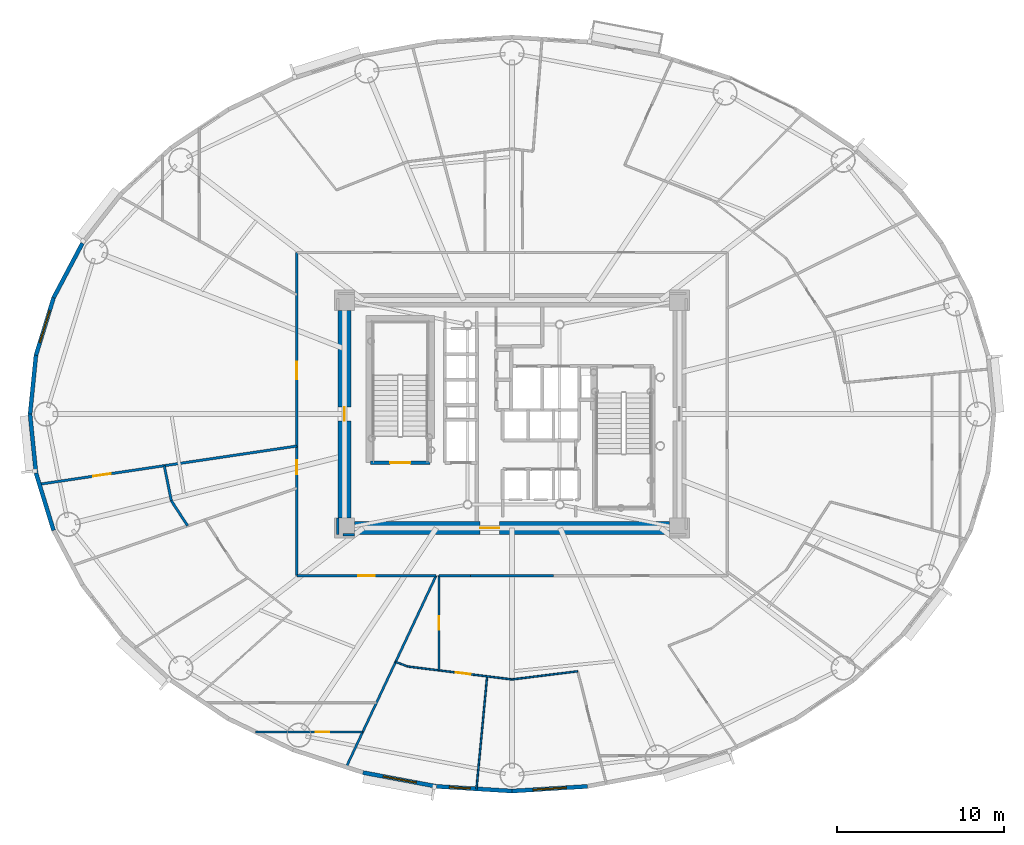
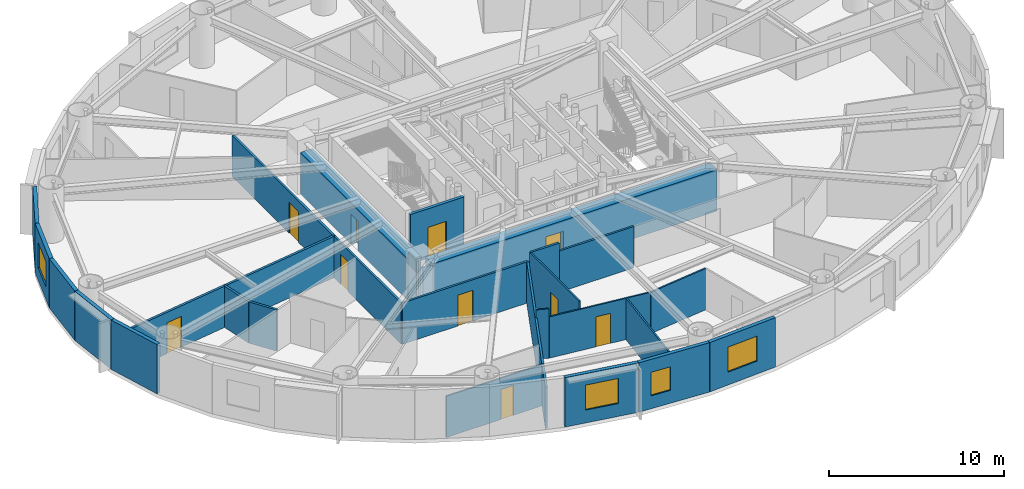
# One storey, part 7 of 17: 27 walls, 10 doors, 4 windows, 14 openings.
"""IFC4 building model written with IfcOpenShell, lengths in metres."""

from ifc_helpers import new_model, si_unit, direction, frame, frame_2d, origin, origin_2d, place, context, subcontext, project, spatial, rectangle, extrude, source, transform, mapped, material, layer, layer_set, type_object, element, fill, save


model = new_model("IFC4")

# Units and contexts
model_context = context("Model", 3, precision=1e-05, world=origin(), true_north=direction((0.0, 1.0)))
body_context = subcontext(model_context, "Body", "Model", "MODEL_VIEW")
ifc_project = project(units=[si_unit("LENGTHUNIT", "METRE"), si_unit("AREAUNIT", "SQUARE_METRE"), si_unit("VOLUMEUNIT", "CUBIC_METRE"), si_unit("PLANEANGLEUNIT", "RADIAN"), si_unit("MASSUNIT", "GRAM", prefix="KILO")], contexts=[model_context])

# Site, building, storey
site_placement = place(None, origin())
site = spatial("IfcSite", under=ifc_project, at=site_placement, CompositionType="ELEMENT")
building_placement = place(site_placement, origin())
building = spatial("IfcBuilding", under=site, at=building_placement, Name="Linh Dai School and Residence Tower", CompositionType="ELEMENT")
storey_placement = place(building_placement, frame((0.0, 0.0, 142.199951171875)))
storey = spatial("IfcBuildingStorey", under=building, at=storey_placement, Name="L34", CompositionType="ELEMENT", Elevation=142.199951171875)

# Wall
ifc_material_1 = material(Name="Precast Concrete B45 (C35/45)", Category="concrete")
ifc_layer_1 = layer(ifc_material_1, 0.239990234375)
ifc_layer_set_1 = layer_set([ifc_layer_1], Name="Precast Concrete B45 (C35/45)")
wall_type_1 = type_object("IfcWallType", Name="EW-TC-240", PredefinedType="SOLIDWALL", material=ifc_layer_set_1)
wall_1_placement = place(storey_placement, frame((8.6298828125, 33.945068359375, 0.0), z_axis=(0.0, 0.0, 1.0), x_axis=(0.467614004126, 0.883932770716, 0.0)))
element("IfcWall", 1, at=wall_1_placement, inside=storey, type_object=wall_type_1, Name="L34 Terracotta Exterior Wall 18", PredefinedType="SOLIDWALL", context=body_context, shape_type="SweptSolid", body=[
    extrude(rectangle(XDim=3.688720703125, YDim=0.239990234375, at=frame_2d((1.84423828125, 0.0))), origin(), (0.0, 0.0, 1.0), 3.449951171875),
])

# Wall, opening, window
wall_2_placement = place(storey_placement, frame((7.578369140625, 30.515380859375, 0.0), z_axis=(0.0, 0.0, 1.0), x_axis=(0.293124431344, 0.956074300329, 0.0)))
wall_2 = element("IfcWall", 2, at=wall_2_placement, inside=storey, type_object=wall_type_1, Name="L34 Terracotta Exterior Wall 19", PredefinedType="SOLIDWALL", context=body_context, shape_type="SweptSolid", body=[
    extrude(rectangle(XDim=3.587158203125, YDim=0.239990234375, at=frame_2d((1.79345703125, 0.0))), origin(), (0.0, 0.0, 1.0), 3.449951171875),
])
opening_1_placement = place(wall_2_placement, frame((0.793701171875, 0.0, 0.89990234375)))
opening_1 = element("IfcOpeningElement", 3, at=opening_1_placement, cuts=wall_2, Name="Opening W1", PredefinedType="OPENING", context=body_context, shape_type="SweptSolid", body=[
    extrude(rectangle(XDim=2.0, YDim=1.75, at=origin_2d()), frame((1.0, 0.1298828125, 0.875), z_axis=(0.0, -1.0, 0.0), x_axis=(1.0, 0.0, 0.0)), (0.0, 0.0, 1.0), 0.260009765625),
])
ifc_material_2 = material(Name="Double Low-E Insulated Glazing", Category="glass")
window_type_1 = type_object("IfcWindowType", Name="WN-RES-2000x1750", PartitioningType="DOUBLE_PANEL_VERTICAL", PredefinedType="WINDOW", material=ifc_material_2)
shared_shape_1 = source(origin(), body_context, "Body", "SweptSolid", [
    extrude(rectangle(XDim=2.0, YDim=1.75, at=origin_2d()), frame((1.0, 0.030029296875, 0.875), z_axis=(0.0, -1.0, 0.0), x_axis=(1.0, 0.0, 0.0)), (0.0, 0.0, 1.0), 0.06005859375),
])
window_1_placement = place(opening_1_placement, origin())
window_1 = element("IfcWindow", 4, at=window_1_placement, inside=storey, type_object=window_type_1, Name="L34 Exterior Window 19.1", OverallHeight=1.75, OverallWidth=2.0, PartitioningType="DOUBLE_PANEL_VERTICAL", PredefinedType="WINDOW", context=body_context, shape_type="MappedRepresentation", body=[
    mapped(shared_shape_1, transform((0.0, 0.0, 0.0), x_axis=(1.0, 0.0, 0.0), y_axis=(0.0, 1.0, 0.0), z_axis=(0.0, 0.0, 1.0), scale=1.0)),
])
fill(opening_1, window_1)

# Walls
for number, where, z_axis, x_axis, name in (
    (5, (7.22509765625, 27.0, 0.0), (0.0, 0.0, 1.0), (0.099989468229, 0.994988495533, 0.0), "L34 Terracotta Exterior Wall 20"),
    (6, (7.578369140625, 23.484619140625, 0.0), (0.0, 0.0, 1.0), (-0.099989468229, 0.994988495533, 0.0), "L34 Terracotta Exterior Wall 21"),
):
    element("IfcWall", number, at=place(storey_placement, frame(where, z_axis=z_axis, x_axis=x_axis)), inside=storey, type_object=wall_type_1, Name=name, PredefinedType="SOLIDWALL", context=body_context, shape_type="SweptSolid", body=[
        extrude(rectangle(XDim=3.533203125, YDim=0.239990234375, at=frame_2d((1.7666015625, 0.0))), origin(), (0.0, 0.0, 1.0), 3.449951171875),
    ])
wall_3_placement = place(storey_placement, frame((8.6298828125, 20.054931640625, 0.0), z_axis=(0.0, 0.0, 1.0), x_axis=(-0.293124431344, 0.956074300329, 0.0)))
element("IfcWall", 7, at=wall_3_placement, inside=storey, type_object=wall_type_1, Name="L34 Terracotta Exterior Wall 22", PredefinedType="SOLIDWALL", context=body_context, shape_type="SweptSolid", body=[
    extrude(rectangle(XDim=3.587158203125, YDim=0.239990234375, at=frame_2d((1.79345703125, 0.0))), origin(), (0.0, 0.0, 1.0), 3.449951171875),
])

# Wall, opening, window
wall_4_placement = place(storey_placement, frame((31.494384765625, 4.772705078125, 0.0), z_axis=(0.0, 0.0, 1.0), x_axis=(-0.982789252177, 0.184730305596, 0.0)))
wall_4 = element("IfcWall", 8, at=wall_4_placement, inside=storey, type_object=wall_type_1, Name="L34 Terracotta Exterior Wall 29", PredefinedType="SOLIDWALL", context=body_context, shape_type="SweptSolid", body=[
    extrude(rectangle(XDim=4.470947265625, YDim=0.239990234375, at=frame_2d((2.2353515625, 0.0))), origin(), (0.0, 0.0, 1.0), 3.449951171875),
])
opening_2_placement = place(wall_4_placement, frame((1.235595703125, 0.0, 0.89990234375)))
opening_2 = element("IfcOpeningElement", 9, at=opening_2_placement, cuts=wall_4, Name="Opening W1", PredefinedType="OPENING", context=body_context, shape_type="SweptSolid", body=[
    extrude(rectangle(XDim=2.0, YDim=1.75, at=origin_2d()), frame((1.0, 0.1298828125, 0.875), z_axis=(0.0, -1.0, 0.0), x_axis=(1.0, 0.0, 0.0)), (0.0, 0.0, 1.0), 0.260009765625),
])
window_2_placement = place(opening_2_placement, origin())
window_2 = element("IfcWindow", 10, at=window_2_placement, inside=storey, type_object=window_type_1, Name="L34 Exterior Window 29.1", OverallHeight=1.75, OverallWidth=2.0, PartitioningType="DOUBLE_PANEL_VERTICAL", PredefinedType="WINDOW", context=body_context, shape_type="MappedRepresentation", body=[
    mapped(shared_shape_1, transform((0.0, 0.0, 0.0), x_axis=(1.0, 0.0, 0.0), y_axis=(0.0, 1.0, 0.0), z_axis=(0.0, 0.0, 1.0), scale=1.0)),
])
fill(opening_2, window_2)

wall_5_placement = place(storey_placement, frame((36.0, 4.4951171875, 0.0), z_axis=(0.0, 0.0, 1.0), x_axis=(-0.998107531589, 0.061492726276, 0.0)))
wall_5 = element("IfcWall", 11, at=wall_5_placement, inside=storey, type_object=wall_type_1, Name="L34 Terracotta Exterior Wall 30", PredefinedType="SOLIDWALL", context=body_context, shape_type="SweptSolid", body=[
    extrude(rectangle(XDim=4.51416015625, YDim=0.239990234375, at=frame_2d((2.257080078125, 0.0))), origin(), (0.0, 0.0, 1.0), 3.449951171875),
])
opening_3_placement = place(wall_5_placement, frame((2.498779296875, 0.0, 0.89990234375)))
opening_3 = element("IfcOpeningElement", 12, at=opening_3_placement, cuts=wall_5, Name="Opening W3", PredefinedType="OPENING", context=body_context, shape_type="SweptSolid", body=[
    extrude(rectangle(XDim=1.25, YDim=1.64990234375, at=origin_2d()), frame((0.625, 0.1298828125, 0.824951171875), z_axis=(0.0, -1.0, 0.0), x_axis=(1.0, 0.0, 0.0)), (0.0, 0.0, 1.0), 0.260009765625),
])
window_type_2 = type_object("IfcWindowType", Name="WN-RES-1250x1650", PartitioningType="SINGLE_PANEL", PredefinedType="WINDOW", material=ifc_material_2)
shared_shape_2 = source(origin(), body_context, "Body", "SweptSolid", [
    extrude(rectangle(XDim=1.25, YDim=1.64990234375, at=origin_2d()), frame((0.625, 0.030029296875, 0.824951171875), z_axis=(0.0, -1.0, 0.0), x_axis=(1.0, 0.0, 0.0)), (0.0, 0.0, 1.0), 0.06005859375),
])
window_3_placement = place(opening_3_placement, origin())
window_3 = element("IfcWindow", 13, at=window_3_placement, inside=storey, type_object=window_type_2, Name="L34 Exterior Window 30.1", OverallHeight=1.64990234375, OverallWidth=1.25, PartitioningType="SINGLE_PANEL", PredefinedType="WINDOW", context=body_context, shape_type="MappedRepresentation", body=[
    mapped(shared_shape_2, transform((0.0, 0.0, 0.0), x_axis=(1.0, 0.0, 0.0), y_axis=(0.0, 1.0, 0.0), z_axis=(0.0, 0.0, 1.0), scale=1.0)),
])
fill(opening_3, window_3)

wall_6_placement = place(storey_placement, frame((40.505615234375, 4.772705078125, 0.0), z_axis=(0.0, 0.0, 1.0), x_axis=(-0.998107531589, -0.061492726276, 0.0)))
wall_6 = element("IfcWall", 14, at=wall_6_placement, inside=storey, type_object=wall_type_1, Name="L34 Terracotta Exterior Wall 31", PredefinedType="SOLIDWALL", context=body_context, shape_type="SweptSolid", body=[
    extrude(rectangle(XDim=4.51416015625, YDim=0.239990234375, at=frame_2d((2.257080078125, 0.0))), origin(), (0.0, 0.0, 1.0), 3.449951171875),
])
opening_4_placement = place(wall_6_placement, frame((1.257080078125, 0.0, 0.89990234375)))
opening_4 = element("IfcOpeningElement", 15, at=opening_4_placement, cuts=wall_6, Name="Opening W1", PredefinedType="OPENING", context=body_context, shape_type="SweptSolid", body=[
    extrude(rectangle(XDim=2.0, YDim=1.75, at=origin_2d()), frame((1.0, 0.1298828125, 0.875), z_axis=(0.0, -1.0, 0.0), x_axis=(1.0, 0.0, 0.0)), (0.0, 0.0, 1.0), 0.260009765625),
])
window_4_placement = place(opening_4_placement, origin())
window_4 = element("IfcWindow", 16, at=window_4_placement, inside=storey, type_object=window_type_1, Name="L34 Exterior Window 31.1", OverallHeight=1.75, OverallWidth=2.0, PartitioningType="DOUBLE_PANEL_VERTICAL", PredefinedType="WINDOW", context=body_context, shape_type="MappedRepresentation", body=[
    mapped(shared_shape_1, transform((0.0, 0.0, 0.0), x_axis=(1.0, 0.0, 0.0), y_axis=(0.0, 1.0, 0.0), z_axis=(0.0, 0.0, 1.0), scale=1.0)),
])
fill(opening_4, window_4)

# Wall, openings, doors
ifc_material_3 = material(Name="Autoclaved Aerated Concrete Blockwork", Category="masonry")
ifc_layer_2 = layer(ifc_material_3, 0.135009765625)
ifc_layer_set_2 = layer_set([ifc_layer_2], Name="Autoclaved Aerated Concrete Blockwork")
wall_type_2 = type_object("IfcWallType", Name="IW-CORR-135-EI90", PredefinedType="PARTITIONING", material=ifc_layer_set_2)
wall_7_placement = place(storey_placement, frame((23.14990234375, 17.35009765625, 0.0), z_axis=(0.0, 0.0, 1.0), x_axis=(0.0, 1.0, 0.0)))
wall_7 = element("IfcWall", 17, at=wall_7_placement, inside=storey, type_object=wall_type_2, Name="L34 Interior Partition Wall 015", PredefinedType="PARTITIONING", context=body_context, shape_type="SweptSolid", body=[
    extrude(rectangle(XDim=19.2998046875, YDim=0.135009765625, at=frame_2d((9.64990234375, 0.0))), origin(), (0.0, 0.0, 1.0), 2.885009765625),
])
opening_5_placement = place(wall_7_placement, frame((11.733154296875, 0.0, 0.0)))
opening_5 = element("IfcOpeningElement", 18, at=opening_5_placement, cuts=wall_7, Name="Opening D04", PredefinedType="OPENING", context=body_context, shape_type="SweptSolid", body=[
    extrude(rectangle(XDim=1.050048828125, YDim=2.14990234375, at=origin_2d()), frame((0.52490234375, 0.07763671875, 1.074951171875), z_axis=(0.0, -1.0, 0.0), x_axis=(1.0, 0.0, 0.0)), (0.0, 0.0, 1.0), 0.155029296875),
])
opening_6_placement = place(wall_7_placement, frame((6.07421875, 0.0, 0.0)))
opening_6 = element("IfcOpeningElement", 19, at=opening_6_placement, cuts=wall_7, Name="Opening D06", PredefinedType="OPENING", context=body_context, shape_type="SweptSolid", body=[
    extrude(rectangle(XDim=0.820068359375, YDim=2.10009765625, at=origin_2d()), frame((0.41015625, 0.07763671875, 1.050048828125), z_axis=(0.0, -1.0, 0.0), x_axis=(1.0, 0.0, 0.0)), (0.0, 0.0, 1.0), 0.155029296875),
])
ifc_material_4 = material(Name="Acoustic Vision-Panel Timber Classroom Door", Category="wood")
door_type_1 = type_object("IfcDoorType", Name="DR-SCH-1050x2150-FD60S", OperationType="NOTDEFINED", PredefinedType="DOOR", material=ifc_material_4)
shared_shape_3 = source(origin(), body_context, "Body", "SweptSolid", [
    extrude(rectangle(XDim=1.050048828125, YDim=2.14990234375, at=origin_2d()), frame((0.52490234375, 0.02490234375, 1.074951171875), z_axis=(0.0, -1.0, 0.0), x_axis=(1.0, 0.0, 0.0)), (0.0, 0.0, 1.0), 0.050048828125),
])
door_1_placement = place(opening_5_placement, origin())
door_1 = element("IfcDoor", 20, at=door_1_placement, inside=storey, type_object=door_type_1, Name="L34 Fitness and Yoga Room Door", OperationType="SINGLE_SWING_RIGHT", OverallHeight=2.14990234375, OverallWidth=1.050048828125, PredefinedType="DOOR", context=body_context, shape_type="MappedRepresentation", body=[
    mapped(shared_shape_3, transform((0.0, 0.0, 0.0), x_axis=(1.0, 0.0, 0.0), y_axis=(0.0, 1.0, 0.0), z_axis=(0.0, 0.0, 1.0), scale=1.0)),
])
fill(opening_5, door_1)
ifc_material_5 = material(Name="Moisture-Resistant Timber Bathroom Door", Category="wood")
door_type_2 = type_object("IfcDoorType", Name="DR-WET-820x2100", OperationType="NOTDEFINED", PredefinedType="DOOR", material=ifc_material_5)
shared_shape_4 = source(origin(), body_context, "Body", "SweptSolid", [
    extrude(rectangle(XDim=0.820068359375, YDim=2.10009765625, at=origin_2d()), frame((0.41015625, 0.02490234375, 1.050048828125), z_axis=(0.0, -1.0, 0.0), x_axis=(1.0, 0.0, 0.0)), (0.0, 0.0, 1.0), 0.050048828125),
])
door_2_placement = place(opening_6_placement, origin())
door_2 = element("IfcDoor", 21, at=door_2_placement, inside=storey, type_object=door_type_2, Name="L34 Amenity Accessible WC Door", OperationType="SINGLE_SWING_LEFT", OverallHeight=2.10009765625, OverallWidth=0.820068359375, PredefinedType="DOOR", context=body_context, shape_type="MappedRepresentation", body=[
    mapped(shared_shape_4, transform((0.0, 0.0, 0.0), x_axis=(1.0, 0.0, 0.0), y_axis=(0.0, 1.0, 0.0), z_axis=(0.0, 0.0, 1.0), scale=1.0)),
])
fill(opening_6, door_2)

# Wall, opening, door
wall_8_placement = place(storey_placement, frame((23.14990234375, 17.35009765625, 0.0), z_axis=(0.0, 0.0, 1.0), x_axis=(1.0, 0.0, 0.0)))
wall_8 = element("IfcWall", 22, at=wall_8_placement, inside=storey, type_object=wall_type_2, Name="L34 Interior Partition Wall 016", PredefinedType="PARTITIONING", context=body_context, shape_type="SweptSolid", body=[
    extrude(rectangle(XDim=8.318359375, YDim=0.135009765625, at=frame_2d((4.1591796875, 0.0))), origin(), (0.0, 0.0, 1.0), 2.885009765625),
])
opening_7_placement = place(wall_8_placement, frame((3.6591796875, 0.0, 0.0)))
opening_7 = element("IfcOpeningElement", 23, at=opening_7_placement, cuts=wall_8, Name="Opening D03", PredefinedType="OPENING", context=body_context, shape_type="SweptSolid", body=[
    extrude(rectangle(XDim=1.0, YDim=2.14990234375, at=origin_2d()), frame((0.5, 0.07763671875, 1.074951171875), z_axis=(0.0, -1.0, 0.0), x_axis=(1.0, 0.0, 0.0)), (0.0, 0.0, 1.0), 0.155029296875),
])
ifc_material_6 = material(Name="Fire-Rated Solid Timber Entrance Door", Category="wood")
door_type_3 = type_object("IfcDoorType", Name="DR-FLAT-1000x2150-FD60S", OperationType="NOTDEFINED", PredefinedType="DOOR", material=ifc_material_6)
shared_shape_5 = source(origin(), body_context, "Body", "SweptSolid", [
    extrude(rectangle(XDim=1.0, YDim=2.14990234375, at=origin_2d()), frame((0.5, 0.02490234375, 1.074951171875), z_axis=(0.0, -1.0, 0.0), x_axis=(1.0, 0.0, 0.0)), (0.0, 0.0, 1.0), 0.050048828125),
])
door_3_placement = place(opening_7_placement, origin())
door_3 = element("IfcDoor", 24, at=door_3_placement, inside=storey, type_object=door_type_3, Name="L34 U3401 Apartment Entrance Door", OperationType="SINGLE_SWING_LEFT", OverallHeight=2.14990234375, OverallWidth=1.0, PredefinedType="DOOR", context=body_context, shape_type="MappedRepresentation", body=[
    mapped(shared_shape_5, transform((0.0, 0.0, 0.0), x_axis=(1.0, 0.0, 0.0), y_axis=(0.0, 1.0, 0.0), z_axis=(0.0, 0.0, 1.0), scale=1.0)),
])
fill(opening_7, door_3)

# Walls
wall_9_placement = place(storey_placement, frame((26.099609375, 5.91796875, 0.0), z_axis=(0.0, 0.0, 1.0), x_axis=(0.425072644526, 0.905159238408, 0.0)))
element("IfcWall", 25, at=wall_9_placement, inside=storey, type_object=wall_type_2, Name="L34 Interior Partition Wall 019", PredefinedType="PARTITIONING", context=body_context, shape_type="SweptSolid", body=[
    extrude(rectangle(XDim=12.6298828125, YDim=0.135009765625, at=frame_2d((6.31494140625, 0.0))), origin(), (0.0, 0.0, 1.0), 2.885009765625),
])
wall_10_placement = place(storey_placement, frame((31.64111328125, 17.35009765625, 0.0), z_axis=(0.0, 0.0, 1.0), x_axis=(1.0, 0.0, 0.0)))
element("IfcWall", 26, at=wall_10_placement, inside=storey, type_object=wall_type_2, Name="L34 Interior Partition Wall 027", PredefinedType="PARTITIONING", context=body_context, shape_type="SweptSolid", body=[
    extrude(rectangle(XDim=1.8818359375, YDim=0.135009765625, at=frame_2d((0.94091796875, 0.0))), origin(), (0.0, 0.0, 1.0), 3.449951171875),
])
wall_11_placement = place(storey_placement, frame((38.467041015625, 17.35009765625, 0.0), z_axis=(0.0, 0.0, 1.0), x_axis=(-1.0, 0.0, 0.0)))
element("IfcWall", 27, at=wall_11_placement, inside=storey, type_object=wall_type_2, Name="L34 Interior Partition Wall 103", PredefinedType="PARTITIONING", context=body_context, shape_type="SweptSolid", body=[
    extrude(rectangle(XDim=4.93408203125, YDim=0.135009765625, at=frame_2d((2.467041015625, 0.0))), origin(), (0.0, 0.0, 1.0), 2.885009765625),
])
wall_12_placement = place(storey_placement, frame((25.60009765625, 20.7900390625, 0.0), z_axis=(0.0, 0.0, 1.0), x_axis=(0.0, -1.0, 0.0)))
element("IfcWall", 28, at=wall_12_placement, inside=storey, type_object=wall_type_2, Name="L34 Interior Partition Wall 107", PredefinedType="PARTITIONING", context=body_context, shape_type="SweptSolid", body=[
    extrude(rectangle(XDim=0.989990234375, YDim=0.135009765625, at=frame_2d((0.4951171875, 0.0))), origin(), (0.0, 0.0, 1.0), 3.449951171875),
])
wall_13_placement = place(storey_placement, frame((25.907470703125, 19.800048828125, 0.0), z_axis=(0.0, 0.0, 1.0), x_axis=(1.0, 0.0, 0.0)))
element("IfcWall", 29, at=wall_13_placement, inside=storey, type_object=wall_type_2, Name="L34 Interior Partition Wall 108", PredefinedType="PARTITIONING", context=body_context, shape_type="SweptSolid", body=[
    extrude(rectangle(XDim=0.6826171875, YDim=0.135009765625, at=frame_2d((0.34130859375, 0.0))), origin(), (0.0, 0.0, 1.0), 2.885009765625),
])

# Wall, opening, door
ifc_layer_3 = layer(ifc_material_3, 0.14990234375)
ifc_layer_set_3 = layer_set([ifc_layer_3], Name="Autoclaved Aerated Concrete Blockwork")
wall_type_3 = type_object("IfcWallType", Name="IW-SCH-150-EI60", PredefinedType="PARTITIONING", material=ifc_layer_set_3)
wall_14_placement = place(storey_placement, frame((7.779296875, 22.8125, 0.0), z_axis=(0.0, 0.0, 1.0), x_axis=(0.989169524168, 0.146777561148, 0.0)))
wall_14 = element("IfcWall", 30, at=wall_14_placement, inside=storey, type_object=wall_type_3, Name="L34 Interior Partition Wall 001", PredefinedType="PARTITIONING", context=body_context, shape_type="SweptSolid", body=[
    extrude(rectangle(XDim=15.538818359375, YDim=0.14990234375, at=frame_2d((7.76953125, 0.0))), origin(), (0.0, 0.0, 1.0), 2.885009765625),
])
opening_8_placement = place(wall_14_placement, frame((3.264892578125, 0.0, 0.0)))
opening_8 = element("IfcOpeningElement", 31, at=opening_8_placement, cuts=wall_14, Name="Opening D04", PredefinedType="OPENING", context=body_context, shape_type="SweptSolid", body=[
    extrude(rectangle(XDim=1.050048828125, YDim=2.14990234375, at=origin_2d()), frame((0.52490234375, 0.0849609375, 1.074951171875), z_axis=(0.0, -1.0, 0.0), x_axis=(1.0, 0.0, 0.0)), (0.0, 0.0, 1.0), 0.169921875),
])
door_4_placement = place(opening_8_placement, origin())
door_4 = element("IfcDoor", 32, at=door_4_placement, inside=storey, type_object=door_type_1, Name="L34 Amenity Tea Salon Door", OperationType="SINGLE_SWING_RIGHT", OverallHeight=2.14990234375, OverallWidth=1.050048828125, PredefinedType="DOOR", context=body_context, shape_type="MappedRepresentation", body=[
    mapped(shared_shape_3, transform((0.0, 0.0, 0.0), x_axis=(1.0, 0.0, 0.0), y_axis=(0.0, 1.0, 0.0), z_axis=(0.0, 0.0, 1.0), scale=1.0)),
])
fill(opening_8, door_4)

# Walls
wall_15_placement = place(storey_placement, frame((15.237060546875, 23.919189453125, 0.0), z_axis=(0.0, 0.0, 1.0), x_axis=(0.198269330309, -0.98014757698, 0.0)))
element("IfcWall", 33, at=wall_15_placement, inside=storey, type_object=wall_type_3, Name="L34 Interior Partition Wall 006", PredefinedType="PARTITIONING", context=body_context, shape_type="SweptSolid", body=[
    extrude(rectangle(XDim=2.136474609375, YDim=0.14990234375, at=frame_2d((1.068359375, 0.0))), origin(), (0.0, 0.0, 1.0), 2.885009765625),
])
wall_16_placement = place(storey_placement, frame((15.66064453125, 21.8251953125, 0.0), z_axis=(0.0, 0.0, 1.0), x_axis=(0.54543603077, -0.838152454114, 0.0)))
element("IfcWall", 34, at=wall_16_placement, inside=storey, type_object=wall_type_3, Name="L34 Interior Partition Wall 007", PredefinedType="PARTITIONING", context=body_context, shape_type="SweptSolid", body=[
    extrude(rectangle(XDim=1.782470703125, YDim=0.14990234375, at=frame_2d((0.89111328125, 0.0))), origin(), (0.0, 0.0, 1.0), 2.885009765625),
])

# Wall, opening, door
ifc_material_7 = material(Name="Concrete B45 (C35/45)", Category="concrete")
ifc_layer_4 = layer(ifc_material_7, 0.199951171875)
ifc_layer_set_4 = layer_set([ifc_layer_4], Name="Concrete B45 (C35/45)")
wall_type_4 = type_object("IfcWallType", Name="IW-SHAFT-200-EI120", PredefinedType="PARTITIONING", material=ifc_layer_set_4)
wall_17_placement = place(storey_placement, frame((27.56005859375, 24.10009765625, 0.0), z_axis=(0.0, 0.0, 1.0), x_axis=(1.0, 0.0, 0.0)))
wall_17 = element("IfcWall", 35, at=wall_17_placement, inside=storey, type_object=wall_type_4, Name="L34 Interior Partition Wall 020", PredefinedType="PARTITIONING", context=body_context, shape_type="SweptSolid", body=[
    extrude(rectangle(XDim=3.5400390625, YDim=0.199951171875, at=frame_2d((1.77001953125, 0.0))), origin(), (0.0, 0.0, 1.0), 3.449951171875),
])
opening_9_placement = place(wall_17_placement, frame((1.169921875, 0.0, 0.0)))
opening_9 = element("IfcOpeningElement", 36, at=opening_9_placement, cuts=wall_17, Name="Opening D01", PredefinedType="OPENING", context=body_context, shape_type="SweptSolid", body=[
    extrude(rectangle(XDim=1.199951171875, YDim=2.14990234375, at=origin_2d()), frame((0.60009765625, 0.10986328125, 1.074951171875), z_axis=(0.0, -1.0, 0.0), x_axis=(1.0, 0.0, 0.0)), (0.0, 0.0, 1.0), 0.219970703125),
])
ifc_material_8 = material(Name="Fire-Rated Steel Door Leaf", Category="steel")
door_type_4 = type_object("IfcDoorType", Name="DR-STAIR-1200x2150-FD90S", OperationType="NOTDEFINED", PredefinedType="DOOR", material=ifc_material_8)
shared_shape_6 = source(origin(), body_context, "Body", "SweptSolid", [
    extrude(rectangle(XDim=1.199951171875, YDim=2.14990234375, at=origin_2d()), frame((0.60009765625, 0.02490234375, 1.074951171875), z_axis=(0.0, -1.0, 0.0), x_axis=(1.0, 0.0, 0.0)), (0.0, 0.0, 1.0), 0.050048828125),
])
door_5_placement = place(opening_9_placement, origin())
door_5 = element("IfcDoor", 37, at=door_5_placement, inside=storey, type_object=door_type_4, Name="L34 Core Smokeproof Exit Stair ST1 Door", OperationType="SINGLE_SWING_LEFT", OverallHeight=2.14990234375, OverallWidth=1.199951171875, PredefinedType="DOOR", context=body_context, shape_type="MappedRepresentation", body=[
    mapped(shared_shape_6, transform((0.0, 0.0, 0.0), x_axis=(1.0, 0.0, 0.0), y_axis=(0.0, 1.0, 0.0), z_axis=(0.0, 0.0, 1.0), scale=1.0)),
])
fill(opening_9, door_5)

ifc_material_9 = material(Name="Gypsum Plasterboard Acoustic Stud Partition", Category="masonry")
ifc_layer_5 = layer(ifc_material_9, 0.10009765625)
ifc_layer_set_5 = layer_set([ifc_layer_5], Name="Gypsum Plasterboard Acoustic Stud Partition")
wall_type_5 = type_object("IfcWallType", Name="IW-UNIT-100", PredefinedType="PARTITIONING", material=ifc_layer_set_5)
wall_18_placement = place(storey_placement, frame((20.68798828125, 8.02099609375, 0.0), z_axis=(0.0, 0.0, 1.0), x_axis=(1.0, 0.0, 0.0)))
wall_18 = element("IfcWall", 38, at=wall_18_placement, inside=storey, type_object=wall_type_5, Name="L34 Interior Partition Wall 013", PredefinedType="PARTITIONING", context=body_context, shape_type="SweptSolid", body=[
    extrude(rectangle(XDim=6.3994140625, YDim=0.10009765625, at=frame_2d((3.19970703125, 0.0))), origin(), (0.0, 0.0, 1.0), 2.885009765625),
])
opening_10_placement = place(wall_18_placement, frame((3.590576171875, 0.0, 0.0)))
opening_10 = element("IfcOpeningElement", 39, at=opening_10_placement, cuts=wall_18, Name="Opening D06", PredefinedType="OPENING", context=body_context, shape_type="SweptSolid", body=[
    extrude(rectangle(XDim=0.820068359375, YDim=2.10009765625, at=origin_2d()), frame((0.41015625, 0.06005859375, 1.050048828125), z_axis=(0.0, -1.0, 0.0), x_axis=(1.0, 0.0, 0.0)), (0.0, 0.0, 1.0), 0.1201171875),
])
door_6_placement = place(opening_10_placement, origin())
door_6 = element("IfcDoor", 40, at=door_6_placement, inside=storey, type_object=door_type_2, Name="L34 Apartment U3401 Bathroom 1 Door", OperationType="SINGLE_SWING_LEFT", OverallHeight=2.10009765625, OverallWidth=0.820068359375, PredefinedType="DOOR", context=body_context, shape_type="MappedRepresentation", body=[
    mapped(shared_shape_4, transform((0.0, 0.0, 0.0), x_axis=(1.0, 0.0, 0.0), y_axis=(0.0, 1.0, 0.0), z_axis=(0.0, 0.0, 1.0), scale=1.0)),
])
fill(opening_10, door_6)

# Wall
wall_19_placement = place(storey_placement, frame((29.054931640625, 12.2109375, 0.0), z_axis=(0.0, 0.0, 1.0), x_axis=(0.928859514795, -0.370432182423, 0.0)))
element("IfcWall", 41, at=wall_19_placement, inside=storey, type_object=wall_type_5, Name="L34 Interior Partition Wall 021", PredefinedType="PARTITIONING", context=body_context, shape_type="SweptSolid", body=[
    extrude(rectangle(XDim=0.746826171875, YDim=0.10009765625, at=frame_2d((0.37353515625, 0.0))), origin(), (0.0, 0.0, 1.0), 3.449951171875),
])

# Wall, opening, door
wall_20_placement = place(storey_placement, frame((29.74853515625, 11.934326171875, 0.0), z_axis=(0.0, 0.0, 1.0), x_axis=(0.992395485088, -0.123090215599, 0.0)))
wall_20 = element("IfcWall", 42, at=wall_20_placement, inside=storey, type_object=wall_type_5, Name="L34 Interior Partition Wall 022", PredefinedType="PARTITIONING", context=body_context, shape_type="SweptSolid", body=[
    extrude(rectangle(XDim=6.29931640625, YDim=0.10009765625, at=frame_2d((3.149658203125, 0.0))), origin(), (0.0, 0.0, 1.0), 2.885009765625),
])
opening_11_placement = place(wall_20_placement, frame((2.9052734375, 0.0, 0.0)))
opening_11 = element("IfcOpeningElement", 43, at=opening_11_placement, cuts=wall_20, Name="Opening D05", PredefinedType="OPENING", context=body_context, shape_type="SweptSolid", body=[
    extrude(rectangle(XDim=0.89990234375, YDim=2.10009765625, at=origin_2d()), frame((0.449951171875, 0.06005859375, 1.050048828125), z_axis=(0.0, -1.0, 0.0), x_axis=(1.0, 0.0, 0.0)), (0.0, 0.0, 1.0), 0.1201171875),
])
ifc_material_10 = material(Name="Engineered Timber Internal Door", Category="wood")
door_type_5 = type_object("IfcDoorType", Name="DR-INT-900x2100", OperationType="NOTDEFINED", PredefinedType="DOOR", material=ifc_material_10)
shared_shape_7 = source(origin(), body_context, "Body", "SweptSolid", [
    extrude(rectangle(XDim=0.89990234375, YDim=2.10009765625, at=origin_2d()), frame((0.449951171875, 0.02490234375, 1.050048828125), z_axis=(0.0, -1.0, 0.0), x_axis=(1.0, 0.0, 0.0)), (0.0, 0.0, 1.0), 0.050048828125),
])
door_7_placement = place(opening_11_placement, origin())
door_7 = element("IfcDoor", 44, at=door_7_placement, inside=storey, type_object=door_type_5, Name="L34 Apartment U3402 Principal Bedroom 1 Door", OperationType="SINGLE_SWING_LEFT", OverallHeight=2.10009765625, OverallWidth=0.89990234375, PredefinedType="DOOR", context=body_context, shape_type="MappedRepresentation", body=[
    mapped(shared_shape_7, transform((0.0, 0.0, 0.0), x_axis=(1.0, 0.0, 0.0), y_axis=(0.0, 1.0, 0.0), z_axis=(0.0, 0.0, 1.0), scale=1.0)),
])
fill(opening_11, door_7)

wall_21_placement = place(storey_placement, frame((31.64111328125, 11.69970703125, 0.0), z_axis=(0.0, 0.0, 1.0), x_axis=(0.0, 1.0, 0.0)))
wall_21 = element("IfcWall", 45, at=wall_21_placement, inside=storey, type_object=wall_type_5, Name="L34 Interior Partition Wall 026", PredefinedType="PARTITIONING", context=body_context, shape_type="SweptSolid", body=[
    extrude(rectangle(XDim=5.650390625, YDim=0.10009765625, at=frame_2d((2.8251953125, 0.0))), origin(), (0.0, 0.0, 1.0), 3.449951171875),
])
opening_12_placement = place(wall_21_placement, frame((2.415283203125, 0.0, 0.0)))
opening_12 = element("IfcOpeningElement", 46, at=opening_12_placement, cuts=wall_21, Name="Opening D06", PredefinedType="OPENING", context=body_context, shape_type="SweptSolid", body=[
    extrude(rectangle(XDim=0.820068359375, YDim=2.10009765625, at=origin_2d()), frame((0.41015625, 0.06005859375, 1.050048828125), z_axis=(0.0, -1.0, 0.0), x_axis=(1.0, 0.0, 0.0)), (0.0, 0.0, 1.0), 0.1201171875),
])
door_8_placement = place(opening_12_placement, origin())
door_8 = element("IfcDoor", 47, at=door_8_placement, inside=storey, type_object=door_type_2, Name="L34 Apartment U3402 Bathroom 1 Door", OperationType="SINGLE_SWING_RIGHT", OverallHeight=2.10009765625, OverallWidth=0.820068359375, PredefinedType="DOOR", context=body_context, shape_type="MappedRepresentation", body=[
    mapped(shared_shape_4, transform((0.0, 0.0, 0.0), x_axis=(1.0, 0.0, 0.0), y_axis=(0.0, 1.0, 0.0), z_axis=(0.0, 0.0, 1.0), scale=1.0)),
])
fill(opening_12, door_8)

# Walls
wall_22_placement = place(storey_placement, frame((33.878173828125, 4.620849609375, 0.0), z_axis=(0.0, 0.0, 1.0), x_axis=(0.094368865944, 0.995537300728, 0.0)))
element("IfcWall", 48, at=wall_22_placement, inside=storey, type_object=wall_type_5, Name="L34 Interior Partition Wall 034", PredefinedType="PARTITIONING", context=body_context, shape_type="SweptSolid", body=[
    extrude(rectangle(XDim=6.752197265625, YDim=0.10009765625, at=frame_2d((3.3759765625, 0.0))), origin(), (0.0, 0.0, 1.0), 2.885009765625),
])
wall_23_placement = place(storey_placement, frame((36.0, 11.158935546875, 0.0), z_axis=(0.0, 0.0, 1.0), x_axis=(0.992393437711, 0.123106721131, 0.0)))
element("IfcWall", 49, at=wall_23_placement, inside=storey, type_object=wall_type_5, Name="L34 Interior Partition Wall 050", PredefinedType="PARTITIONING", context=body_context, shape_type="SweptSolid", body=[
    extrude(rectangle(XDim=3.950439453125, YDim=0.10009765625, at=frame_2d((1.97509765625, 0.0))), origin(), (0.0, 0.0, 1.0), 2.885009765625),
])

# Wall, opening, door
ifc_material_11 = material(Name="Concrete B60 (C50/60)", Category="concrete")
ifc_layer_6 = layer(ifc_material_11, 0.800048828125)
ifc_layer_set_6 = layer_set([ifc_layer_6], Name="Concrete B60 (C50/60)")
wall_type_6 = type_object("IfcWallType", Name="WL-CORE800", PredefinedType="SHEAR", material=ifc_layer_set_6)
wall_24_placement = place(storey_placement, frame((45.39990234375, 20.199951171875, 0.0), z_axis=(0.0, 0.0, 1.0), x_axis=(-1.0, 0.0, 0.0)))
wall_24 = element("IfcWall", 50, at=wall_24_placement, inside=storey, type_object=wall_type_6, Name="L34 Central Core Shear Wall S", PredefinedType="SHEAR", context=body_context, shape_type="SweptSolid", body=[
    extrude(rectangle(XDim=18.7998046875, YDim=0.800048828125, at=frame_2d((9.39990234375, 0.0))), origin(), (0.0, 0.0, 1.0), 2.900146484375),
])
opening_13_placement = place(wall_24_placement, frame((10.14990234375, 0.0, 0.0)))
opening_13 = element("IfcOpeningElement", 51, at=opening_13_placement, cuts=wall_24, Name="Opening D02", PredefinedType="OPENING", context=body_context, shape_type="SweptSolid", body=[
    extrude(rectangle(XDim=1.14990234375, YDim=2.14990234375, at=origin_2d()), frame((0.574951171875, 0.41015625, 1.074951171875), z_axis=(0.0, -1.0, 0.0), x_axis=(1.0, 0.0, 0.0)), (0.0, 0.0, 1.0), 0.820068359375),
])
ifc_material_12 = material(Name="Fire-Rated Glazed Steel Lobby Door", Category="steel")
door_type_6 = type_object("IfcDoorType", Name="DR-LOBBY-1150x2150-FD90S", OperationType="NOTDEFINED", PredefinedType="DOOR", material=ifc_material_12)
shared_shape_8 = source(origin(), body_context, "Body", "SweptSolid", [
    extrude(rectangle(XDim=1.14990234375, YDim=2.14990234375, at=origin_2d()), frame((0.574951171875, 0.02490234375, 1.074951171875), z_axis=(0.0, -1.0, 0.0), x_axis=(1.0, 0.0, 0.0)), (0.0, 0.0, 1.0), 0.050048828125),
])
door_9_placement = place(opening_13_placement, origin())
door_9 = element("IfcDoor", 52, at=door_9_placement, inside=storey, type_object=door_type_6, Name="L34 Passenger Foyer Access Door", OperationType="SINGLE_SWING_RIGHT", OverallHeight=2.14990234375, OverallWidth=1.14990234375, PredefinedType="DOOR", context=body_context, shape_type="MappedRepresentation", body=[
    mapped(shared_shape_8, transform((0.0, 0.0, 0.0), x_axis=(1.0, 0.0, 0.0), y_axis=(0.0, 1.0, 0.0), z_axis=(0.0, 0.0, 1.0), scale=1.0)),
])
fill(opening_13, door_9)

wall_25_placement = place(storey_placement, frame((26.0, 20.800048828125, 0.0), z_axis=(0.0, 0.0, 1.0), x_axis=(0.0, 1.0, 0.0)))
wall_25 = element("IfcWall", 53, at=wall_25_placement, inside=storey, type_object=wall_type_6, Name="L34 Central Core Shear Wall W", PredefinedType="SHEAR", context=body_context, shape_type="SweptSolid", body=[
    extrude(rectangle(XDim=12.39990234375, YDim=0.800048828125, at=frame_2d((6.199951171875, 0.0))), origin(), (0.0, 0.0, 1.0), 2.900146484375),
])
opening_14_placement = place(wall_25_placement, frame((5.7900390625, 0.0, 0.0)))
opening_14 = element("IfcOpeningElement", 54, at=opening_14_placement, cuts=wall_25, Name="Opening D06", PredefinedType="OPENING", context=body_context, shape_type="SweptSolid", body=[
    extrude(rectangle(XDim=0.820068359375, YDim=2.10009765625, at=origin_2d()), frame((0.41015625, 0.41015625, 1.050048828125), z_axis=(0.0, -1.0, 0.0), x_axis=(1.0, 0.0, 0.0)), (0.0, 0.0, 1.0), 0.820068359375),
])
door_10_placement = place(opening_14_placement, origin())
door_10 = element("IfcDoor", 55, at=door_10_placement, inside=storey, type_object=door_type_2, Name="L34 Firefighting Lobby Door", OperationType="SINGLE_SWING_RIGHT", OverallHeight=2.10009765625, OverallWidth=0.820068359375, PredefinedType="DOOR", context=body_context, shape_type="MappedRepresentation", body=[
    mapped(shared_shape_4, transform((0.0, 0.0, 0.0), x_axis=(1.0, 0.0, 0.0), y_axis=(0.0, 1.0, 0.0), z_axis=(0.0, 0.0, 1.0), scale=1.0)),
])
fill(opening_14, door_10)

save(model, "model.ifc")
